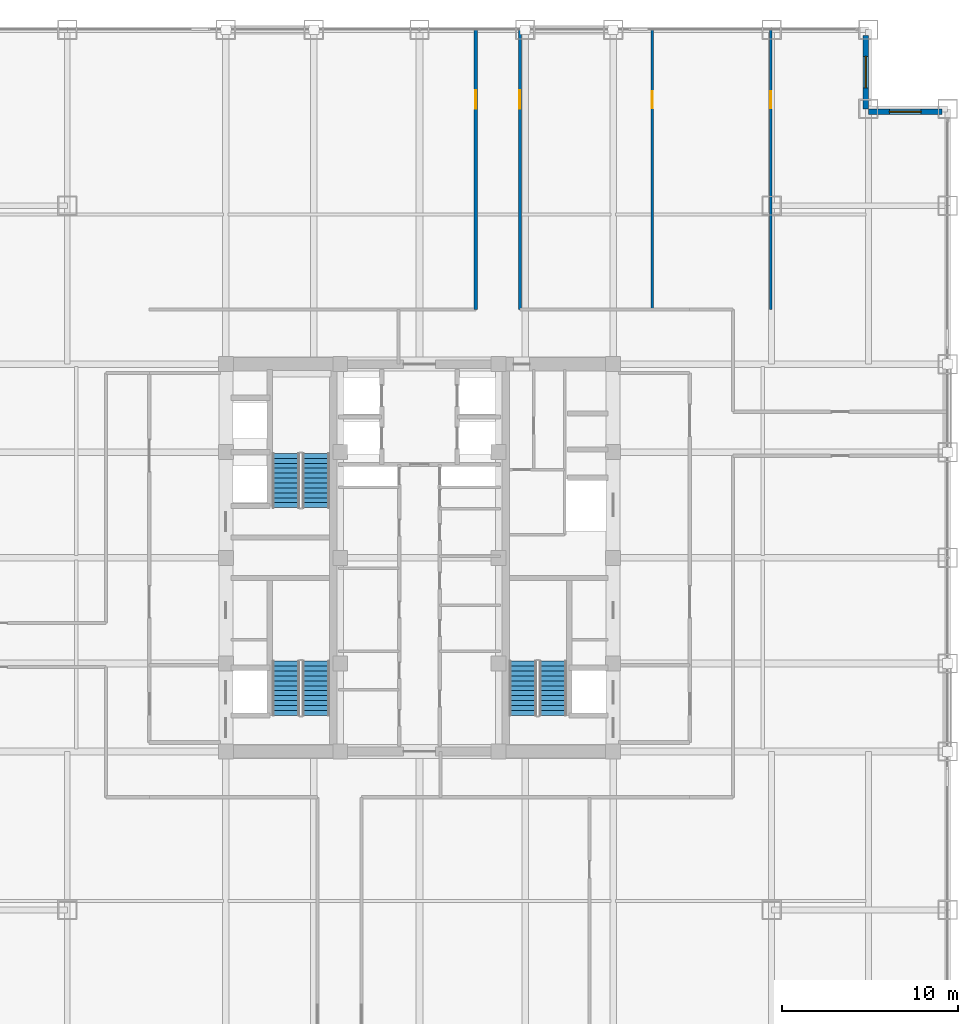
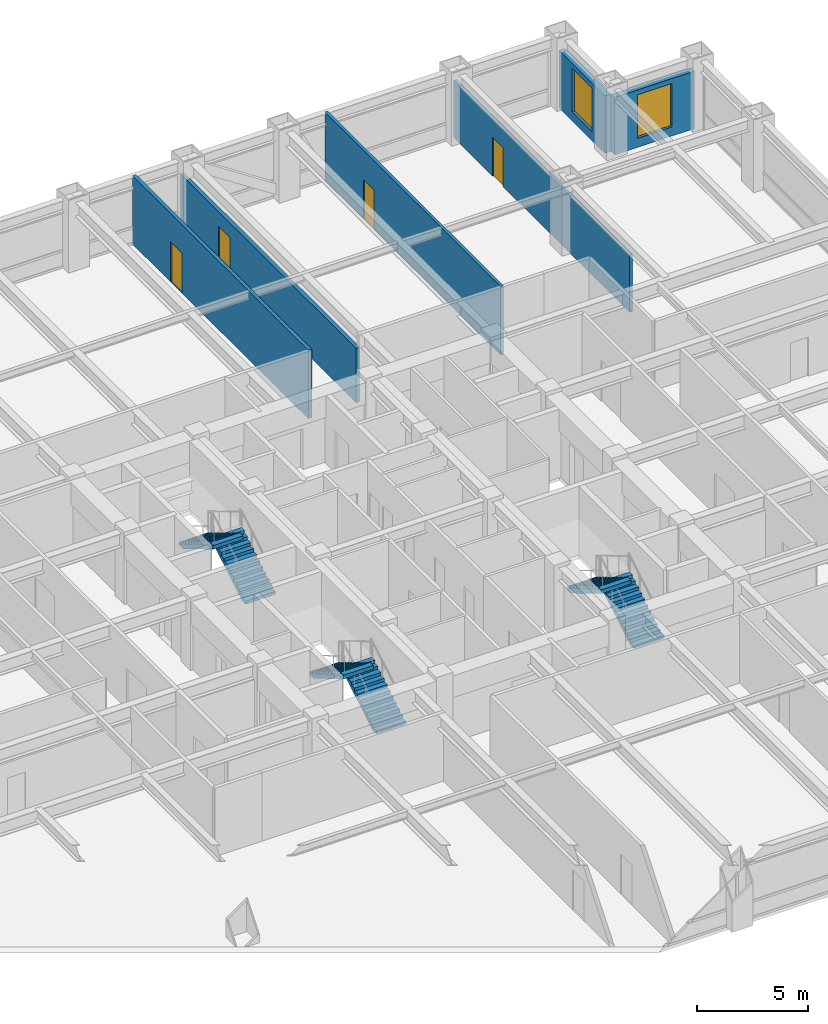
# One storey, part 23 of 24: 6 stair flights, 6 walls, 4 doors, 2 windows, 6 openings, 3 elements without a shape of their own.
"""IFC4 building model written with IfcOpenShell, lengths in metres."""

from ifc_helpers import new_model, si_unit, direction, frame, frame_2d, origin, place, context, subcontext, project, spatial, polyline, rectangle, outline, extrude, source, transform, mapped, material, layer, layer_set, type_object, element, fill, aggregate, save


model = new_model("IFC4")

# Units and contexts
model_context = context("Model", 3, precision=1e-05, world=origin(), true_north=direction((0.0, 1.0)))
body_context = subcontext(model_context, "Body", "Model", "MODEL_VIEW")
ifc_project = project(units=[si_unit("LENGTHUNIT", "METRE"), si_unit("AREAUNIT", "SQUARE_METRE"), si_unit("VOLUMEUNIT", "CUBIC_METRE"), si_unit("PLANEANGLEUNIT", "RADIAN"), si_unit("MASSUNIT", "GRAM", prefix="KILO")], contexts=[model_context])

# Site, building, storey
site_placement = place(None, origin())
site = spatial("IfcSite", under=ifc_project, at=site_placement, CompositionType="ELEMENT")
building_placement = place(site_placement, origin())
building = spatial("IfcBuilding", under=site, at=building_placement, Name="Khorayat Bourse Tower", CompositionType="ELEMENT")
storey_placement = place(building_placement, frame((0.0, 0.0, 163.10009765625)))
storey = spatial("IfcBuildingStorey", under=building, at=storey_placement, Name="L37", CompositionType="ELEMENT", Elevation=163.10009765625)

# Wall, opening, window
ifc_material_1 = material(Name="Precast concrete C45/55", Category="concrete")
ifc_layer_1 = layer(ifc_material_1, 0.320068359375)
ifc_layer_set_1 = layer_set([ifc_layer_1], Name="Precast concrete C45/55")
wall_type_1 = type_object("IfcWallType", Name="WAL-EXT-STONE-320", PredefinedType="STANDARD", material=ifc_layer_set_1)
shared_shape_1 = source(origin(), body_context, "Body", "SweptSolid", [
    extrude(rectangle(XDim=4.179931640625, YDim=0.320068359375, at=frame_2d((2.08984375, 0.0))), origin(), (0.0, 0.0, 1.0), 3.163818359375),
])
wall_1_placement = place(storey_placement, frame((25.5, 25.340087890625, 0.0), z_axis=(0.0, 0.0, 1.0), x_axis=(1.0, 0.0, 0.0)))
wall_1 = element("IfcWall", 1, at=wall_1_placement, inside=storey, type_object=wall_type_1, Name="L37 Re-Entrant Notch Limestone Wall NE-H", PredefinedType="STANDARD", context=body_context, shape_type="MappedRepresentation", body=[
    mapped(shared_shape_1, transform((0.0, 0.0, 0.0), scale=1.0)),
])
shared_shape_2 = source(origin(), body_context, "Body", "SweptSolid", [
    extrude(rectangle(XDim=1.800048828125, YDim=2.39990234375, at=frame_2d((0.89990234375, 1.199951171875))), frame((0.0, 0.169921875, 0.0), z_axis=(0.0, -1.0, 0.0), x_axis=(1.0, 0.0, 0.0)), (0.0, 0.0, 1.0), 0.340087890625),
])
opening_1_placement = place(wall_1_placement, frame((1.18994140625, 0.0, 0.5)))
opening_1 = element("IfcOpeningElement", 2, at=opening_1_placement, cuts=wall_1, Name="Opening WN-04", PredefinedType="OPENING", context=body_context, shape_type="MappedRepresentation", body=[
    mapped(shared_shape_2, transform((0.0, 0.0, 0.0), scale=1.0)),
])
ifc_material_2 = material(Name="Low-E acoustic laminated double glazing", Category="glass")
window_type = type_object("IfcWindowType", Name="WIN-NOTCH-1800x2400", PartitioningType="SINGLE_PANEL", PredefinedType="WINDOW", material=ifc_material_2)
shared_shape_3 = source(origin(), body_context, "Body", "SweptSolid", [
    extrude(rectangle(XDim=1.800048828125, YDim=2.39990234375, at=frame_2d((0.89990234375, 1.199951171875))), frame((0.0, 0.030029296875, 0.0), z_axis=(0.0, -1.0, 0.0), x_axis=(1.0, 0.0, 0.0)), (0.0, 0.0, 1.0), 0.06005859375),
])
window_1_placement = place(opening_1_placement, origin())
window_1 = element("IfcWindow", 3, at=window_1_placement, inside=storey, type_object=window_type, Name="L37 Facade Window 1", OverallHeight=2.39990234375, OverallWidth=1.800048828125, PartitioningType="SINGLE_PANEL", PredefinedType="WINDOW", context=body_context, shape_type="MappedRepresentation", body=[
    mapped(shared_shape_3, transform((0.0, 0.0, 0.0), scale=1.0)),
])
fill(opening_1, window_1)

wall_2_placement = place(storey_placement, frame((25.340087890625, 25.5, 0.0), z_axis=(0.0, 0.0, 1.0), x_axis=(0.0, 1.0, 0.0)))
wall_2 = element("IfcWall", 4, at=wall_2_placement, inside=storey, type_object=wall_type_1, Name="L37 Re-Entrant Notch Limestone Wall NE-V", PredefinedType="STANDARD", context=body_context, shape_type="MappedRepresentation", body=[
    mapped(shared_shape_1, transform((0.0, 0.0, 0.0), scale=1.0)),
])
opening_2_placement = place(wall_2_placement, frame((1.18994140625, 0.0, 0.5)))
opening_2 = element("IfcOpeningElement", 5, at=opening_2_placement, cuts=wall_2, Name="Opening WN-04", PredefinedType="OPENING", context=body_context, shape_type="MappedRepresentation", body=[
    mapped(shared_shape_2, transform((0.0, 0.0, 0.0), scale=1.0)),
])
window_2_placement = place(opening_2_placement, origin())
window_2 = element("IfcWindow", 6, at=window_2_placement, inside=storey, type_object=window_type, Name="L37 Facade Window 1", OverallHeight=2.39990234375, OverallWidth=1.800048828125, PartitioningType="SINGLE_PANEL", PredefinedType="WINDOW", context=body_context, shape_type="MappedRepresentation", body=[
    mapped(shared_shape_3, transform((0.0, 0.0, 0.0), scale=1.0)),
])
fill(opening_2, window_2)

# Wall, opening, door
ifc_material_3 = material(Name="Gypsum plasterboard acoustic stud wall")
ifc_layer_2 = layer(ifc_material_3, 0.179931640625)
ifc_layer_set_2 = layer_set([ifc_layer_2], Name="Gypsum plasterboard acoustic stud wall")
wall_type_2 = type_object("IfcWallType", Name="WAL-PART-CORR-180", PredefinedType="PARTITIONING", material=ifc_layer_set_2)
shared_shape_4 = source(origin(), body_context, "Body", "SweptSolid", [
    extrude(rectangle(XDim=15.89990234375, YDim=0.179931640625, at=frame_2d((7.949951171875, 0.0))), origin(), (0.0, 0.0, 1.0), 3.77978515625),
])
wall_3_placement = place(storey_placement, frame((3.199951171875, 14.10009765625, 0.0), z_axis=(0.0, 0.0, 1.0), x_axis=(0.0, 1.0, 0.0)))
wall_3 = element("IfcWall", 7, at=wall_3_placement, inside=storey, type_object=wall_type_2, Name="L37 Partition WAL-L37-QNW-SPK", PredefinedType="PARTITIONING", context=body_context, shape_type="MappedRepresentation", body=[
    mapped(shared_shape_4, transform((0.0, 0.0, 0.0), scale=1.0)),
])
shared_shape_5 = source(origin(), body_context, "Body", "SweptSolid", [
    extrude(rectangle(XDim=1.050048828125, YDim=2.199951171875, at=frame_2d((0.52490234375, 1.10009765625))), frame((0.0, 0.099853515625, 0.0), z_axis=(0.0, -1.0, 0.0), x_axis=(1.0, 0.0, 0.0)), (0.0, 0.0, 1.0), 0.199951171875),
])
opening_3_placement = place(wall_3_placement, frame((11.39990234375, 0.0, 0.0)))
opening_3 = element("IfcOpeningElement", 8, at=opening_3_placement, cuts=wall_3, Name="Opening DI-04", PredefinedType="OPENING", context=body_context, shape_type="MappedRepresentation", body=[
    mapped(shared_shape_5, transform((0.0, 0.0, 0.0), scale=1.0)),
])
ifc_material_4 = material(Name="Fire-rated oak veneer suite entrance door")
door_type_1 = type_object("IfcDoorType", Name="DR-INT-SUITE-1050", OperationType="NOTDEFINED", PredefinedType="DOOR", material=ifc_material_4)
shared_shape_6 = source(origin(), body_context, "Body", "SweptSolid", [
    extrude(rectangle(XDim=1.050048828125, YDim=2.199951171875, at=frame_2d((0.52490234375, 1.10009765625))), frame((0.0, 0.02490234375, 0.0), z_axis=(0.0, -1.0, 0.0), x_axis=(1.0, 0.0, 0.0)), (0.0, 0.0, 1.0), 0.050048828125),
])
door_1_placement = place(opening_3_placement, origin())
door_1 = element("IfcDoor", 9, at=door_1_placement, inside=storey, type_object=door_type_1, Name="L37 North-West Radial Spoke Entry", OperationType="SINGLE_SWING_LEFT", OverallHeight=2.199951171875, OverallWidth=1.050048828125, PredefinedType="DOOR", context=body_context, shape_type="MappedRepresentation", body=[
    mapped(shared_shape_6, transform((0.0, 0.0, 0.0), scale=1.0)),
])
fill(opening_3, door_1)

ifc_material_5 = material(Name="Gypsum plasterboard twin-frame partition")
ifc_layer_3 = layer(ifc_material_5, 0.14990234375)
ifc_layer_set_3 = layer_set([ifc_layer_3], Name="Gypsum plasterboard twin-frame partition")
wall_type_3 = type_object("IfcWallType", Name="WAL-PART-SUITE-150", PredefinedType="PARTITIONING", material=ifc_layer_set_3)
shared_shape_7 = source(origin(), body_context, "Body", "SweptSolid", [
    extrude(rectangle(XDim=15.89990234375, YDim=0.14990234375, at=frame_2d((7.949951171875, 0.0))), origin(), (0.0, 0.0, 1.0), 3.77978515625),
])
wall_4_placement = place(storey_placement, frame((13.22412109375, 14.10009765625, 0.0), z_axis=(0.0, 0.0, 1.0), x_axis=(0.0, 1.0, 0.0)))
wall_4 = element("IfcWall", 10, at=wall_4_placement, inside=storey, type_object=wall_type_3, Name="L37 Partition WAL-L37-QNEDV-1", PredefinedType="PARTITIONING", context=body_context, shape_type="MappedRepresentation", body=[
    mapped(shared_shape_7, transform((0.0, 0.0, 0.0), scale=1.0)),
])
shared_shape_8 = source(origin(), body_context, "Body", "SweptSolid", [
    extrude(rectangle(XDim=0.949951171875, YDim=2.14990234375, at=frame_2d((0.47509765625, 1.074951171875))), frame((0.0, 0.0849609375, 0.0), z_axis=(0.0, -1.0, 0.0), x_axis=(1.0, 0.0, 0.0)), (0.0, 0.0, 1.0), 0.169921875),
])
opening_4_placement = place(wall_4_placement, frame((11.449951171875, 0.0, 0.0)))
opening_4 = element("IfcOpeningElement", 11, at=opening_4_placement, cuts=wall_4, Name="Opening DI-05", PredefinedType="OPENING", context=body_context, shape_type="MappedRepresentation", body=[
    mapped(shared_shape_8, transform((0.0, 0.0, 0.0), scale=1.0)),
])
ifc_material_6 = material(Name="Acoustic oak veneer office door")
door_type_2 = type_object("IfcDoorType", Name="DR-INT-OFFICE-950", OperationType="NOTDEFINED", PredefinedType="DOOR", material=ifc_material_6)
shared_shape_9 = source(origin(), body_context, "Body", "SweptSolid", [
    extrude(rectangle(XDim=0.949951171875, YDim=2.14990234375, at=frame_2d((0.47509765625, 1.074951171875))), frame((0.0, 0.02490234375, 0.0), z_axis=(0.0, -1.0, 0.0), x_axis=(1.0, 0.0, 0.0)), (0.0, 0.0, 1.0), 0.050048828125),
])
door_2_placement = place(opening_4_placement, origin())
door_2 = element("IfcDoor", 12, at=door_2_placement, inside=storey, type_object=door_type_2, Name="L37 North-East Suite Link 1", OperationType="SINGLE_SWING_RIGHT", OverallHeight=2.14990234375, OverallWidth=0.949951171875, PredefinedType="DOOR", context=body_context, shape_type="MappedRepresentation", body=[
    mapped(shared_shape_9, transform((0.0, 0.0, 0.0), scale=1.0)),
])
fill(opening_4, door_2)

shared_shape_10 = source(origin(), body_context, "Body", "SweptSolid", [
    extrude(rectangle(XDim=15.89990234375, YDim=0.14990234375, at=frame_2d((7.949951171875, 0.0))), origin(), (0.0, 0.0, 1.0), 3.163818359375),
])
wall_5_placement = place(storey_placement, frame((19.9560546875, 14.10009765625, 0.0), z_axis=(0.0, 0.0, 1.0), x_axis=(0.0, 1.0, 0.0)))
wall_5 = element("IfcWall", 13, at=wall_5_placement, inside=storey, type_object=wall_type_3, Name="L37 Partition WAL-L37-QNEDV-2", PredefinedType="PARTITIONING", context=body_context, shape_type="MappedRepresentation", body=[
    mapped(shared_shape_10, transform((0.0, 0.0, 0.0), scale=1.0)),
])
opening_5_placement = place(wall_5_placement, frame((11.449951171875, 0.0, 0.0)))
opening_5 = element("IfcOpeningElement", 14, at=opening_5_placement, cuts=wall_5, Name="Opening DI-05", PredefinedType="OPENING", context=body_context, shape_type="MappedRepresentation", body=[
    mapped(shared_shape_8, transform((0.0, 0.0, 0.0), scale=1.0)),
])
door_3_placement = place(opening_5_placement, origin())
door_3 = element("IfcDoor", 15, at=door_3_placement, inside=storey, type_object=door_type_2, Name="L37 North-East Suite Link 2", OperationType="SINGLE_SWING_LEFT", OverallHeight=2.14990234375, OverallWidth=0.949951171875, PredefinedType="DOOR", context=body_context, shape_type="MappedRepresentation", body=[
    mapped(shared_shape_9, transform((0.0, 0.0, 0.0), scale=1.0)),
])
fill(opening_5, door_3)

shared_shape_11 = source(origin(), body_context, "Body", "SweptSolid", [
    extrude(rectangle(XDim=15.89990234375, YDim=0.179931640625, at=frame_2d((7.949951171875, 0.0))), origin(), (0.0, 0.0, 1.0), 3.0068359375),
])
wall_6_placement = place(storey_placement, frame((5.699951171875, 14.10009765625, 0.0), z_axis=(0.0, 0.0, 1.0), x_axis=(0.0, 1.0, 0.0)))
wall_6 = element("IfcWall", 16, at=wall_6_placement, inside=storey, type_object=wall_type_2, Name="L37 Partition WAL-L37-QNE-SPK", PredefinedType="PARTITIONING", context=body_context, shape_type="MappedRepresentation", body=[
    mapped(shared_shape_11, transform((0.0, 0.0, 0.0), scale=1.0)),
])
opening_6_placement = place(wall_6_placement, frame((11.39990234375, 0.0, 0.0)))
opening_6 = element("IfcOpeningElement", 17, at=opening_6_placement, cuts=wall_6, Name="Opening DI-04", PredefinedType="OPENING", context=body_context, shape_type="MappedRepresentation", body=[
    mapped(shared_shape_5, transform((0.0, 0.0, 0.0), scale=1.0)),
])
door_4_placement = place(opening_6_placement, origin())
door_4 = element("IfcDoor", 18, at=door_4_placement, inside=storey, type_object=door_type_1, Name="L37 North-East Radial Spoke Entry", OperationType="SINGLE_SWING_LEFT", OverallHeight=2.199951171875, OverallWidth=1.050048828125, PredefinedType="DOOR", context=body_context, shape_type="MappedRepresentation", body=[
    mapped(shared_shape_6, transform((0.0, 0.0, 0.0), scale=1.0)),
])
fill(opening_6, door_4)

# Stair, stair flights
ifc_material_7 = material(Name="Concrete C40/50", Category="concrete")
stair_type = type_object("IfcStairType", Name="STR-CORE-1550", PredefinedType="HALF_TURN_STAIR", material=ifc_material_7)
stair_1_placement = place(storey_placement, origin())
stair_1 = element("IfcStair", 19, at=stair_1_placement, inside=storey, type_object=stair_type, Name="L37 Exit Stair ST-1", PredefinedType="HALF_TURN_STAIR")
stair_flight_type = type_object("IfcStairFlightType", Name="FLT-CORE-1550", PredefinedType="STRAIGHT", material=ifc_material_7)
shared_shape_12 = source(origin(), body_context, "Body", "SweptSolid", [
    extrude(outline(polyline([(0.0, 0.0), (0.0, 0.166748046875), (0.280029296875, 0.166748046875), (0.280029296875, 0.333251953125), (0.56005859375, 0.333251953125), (0.56005859375, 0.5), (0.840087890625, 0.5), (0.840087890625, 0.666748046875), (1.1201171875, 0.666748046875), (1.1201171875, 0.833251953125), (1.39990234375, 0.833251953125), (1.39990234375, 1.0), (1.679931640625, 1.0), (1.679931640625, 1.166748046875), (1.9599609375, 1.166748046875), (1.9599609375, 1.333251953125), (2.239990234375, 1.333251953125), (2.239990234375, 1.5), (2.52001953125, 1.5), (2.52001953125, 1.666748046875), (2.800048828125, 1.666748046875), (2.800048828125, 1.833251953125), (3.080078125, 1.833251953125), (3.080078125, 2.0), (3.080078125, 1.6240234375), (0.351806640625, 0.0), (0.0, 0.0)])), frame((0.0, 0.77490234375, 0.0), z_axis=(0.0, -1.0, 0.0), x_axis=(1.0, 0.0, 0.0)), (0.0, 0.0, 1.0), 1.550048828125),
])
stair_flight_1_placement = place(storey_placement, frame((-5.875, -8.949951171875, 0.0), z_axis=(0.0, 0.0, 1.0), x_axis=(0.0, 1.0, 0.0)))
stair_flight_1 = element("IfcStairFlight", 20, at=stair_flight_1_placement, type_object=stair_flight_type, Name="ST-1 flight 1", NumberOfRisers=12, NumberOfTreads=11, PredefinedType="STRAIGHT", RiserHeight=0.166666667, TreadLength=0.28, context=body_context, shape_type="MappedRepresentation", body=[
    mapped(shared_shape_12, transform((0.0, 0.0, 0.0), scale=1.0)),
])
stair_flight_2_placement = place(storey_placement, frame((-7.574951171875, -5.8701171875, 2.0), z_axis=(0.0, 0.0, 1.0), x_axis=(0.0, -1.0, 0.0)))
stair_flight_2 = element("IfcStairFlight", 21, at=stair_flight_2_placement, type_object=stair_flight_type, Name="ST-1 flight 2", NumberOfRisers=12, NumberOfTreads=11, PredefinedType="STRAIGHT", RiserHeight=0.166666667, TreadLength=0.28, context=body_context, shape_type="MappedRepresentation", body=[
    mapped(shared_shape_12, transform((0.0, 0.0, 0.0), scale=1.0)),
])
aggregate(stair_1, [stair_flight_1, stair_flight_2])

stair_2_placement = place(storey_placement, origin())
stair_2 = element("IfcStair", 22, at=stair_2_placement, inside=storey, type_object=stair_type, Name="L37 Exit Stair ST-2", PredefinedType="HALF_TURN_STAIR")
stair_flight_3_placement = place(storey_placement, frame((-5.875, 2.85009765625, 0.0), z_axis=(0.0, 0.0, 1.0), x_axis=(0.0, 1.0, 0.0)))
stair_flight_3 = element("IfcStairFlight", 23, at=stair_flight_3_placement, type_object=stair_flight_type, Name="ST-2 flight 1", NumberOfRisers=12, NumberOfTreads=11, PredefinedType="STRAIGHT", RiserHeight=0.166666667, TreadLength=0.28, context=body_context, shape_type="MappedRepresentation", body=[
    mapped(shared_shape_12, transform((0.0, 0.0, 0.0), scale=1.0)),
])
stair_flight_4_placement = place(storey_placement, frame((-7.574951171875, 5.929931640625, 2.0), z_axis=(0.0, 0.0, 1.0), x_axis=(0.0, -1.0, 0.0)))
stair_flight_4 = element("IfcStairFlight", 24, at=stair_flight_4_placement, type_object=stair_flight_type, Name="ST-2 flight 2", NumberOfRisers=12, NumberOfTreads=11, PredefinedType="STRAIGHT", RiserHeight=0.166666667, TreadLength=0.28, context=body_context, shape_type="MappedRepresentation", body=[
    mapped(shared_shape_12, transform((0.0, 0.0, 0.0), scale=1.0)),
])
aggregate(stair_2, [stair_flight_3, stair_flight_4])

stair_3_placement = place(storey_placement, origin())
stair_3 = element("IfcStair", 25, at=stair_3_placement, inside=storey, type_object=stair_type, Name="L37 Exit Stair ST-3", PredefinedType="HALF_TURN_STAIR")
stair_flight_5_placement = place(storey_placement, frame((7.574951171875, -8.949951171875, 0.0), z_axis=(0.0, 0.0, 1.0), x_axis=(0.0, 1.0, 0.0)))
stair_flight_5 = element("IfcStairFlight", 26, at=stair_flight_5_placement, type_object=stair_flight_type, Name="ST-3 flight 1", NumberOfRisers=12, NumberOfTreads=11, PredefinedType="STRAIGHT", RiserHeight=0.166666667, TreadLength=0.28, context=body_context, shape_type="MappedRepresentation", body=[
    mapped(shared_shape_12, transform((0.0, 0.0, 0.0), scale=1.0)),
])
stair_flight_6_placement = place(storey_placement, frame((5.875, -5.8701171875, 2.0), z_axis=(0.0, 0.0, 1.0), x_axis=(0.0, -1.0, 0.0)))
stair_flight_6 = element("IfcStairFlight", 27, at=stair_flight_6_placement, type_object=stair_flight_type, Name="ST-3 flight 2", NumberOfRisers=12, NumberOfTreads=11, PredefinedType="STRAIGHT", RiserHeight=0.166666667, TreadLength=0.28, context=body_context, shape_type="MappedRepresentation", body=[
    mapped(shared_shape_12, transform((0.0, 0.0, 0.0), scale=1.0)),
])
aggregate(stair_3, [stair_flight_5, stair_flight_6])

save(model, "model.ifc")
